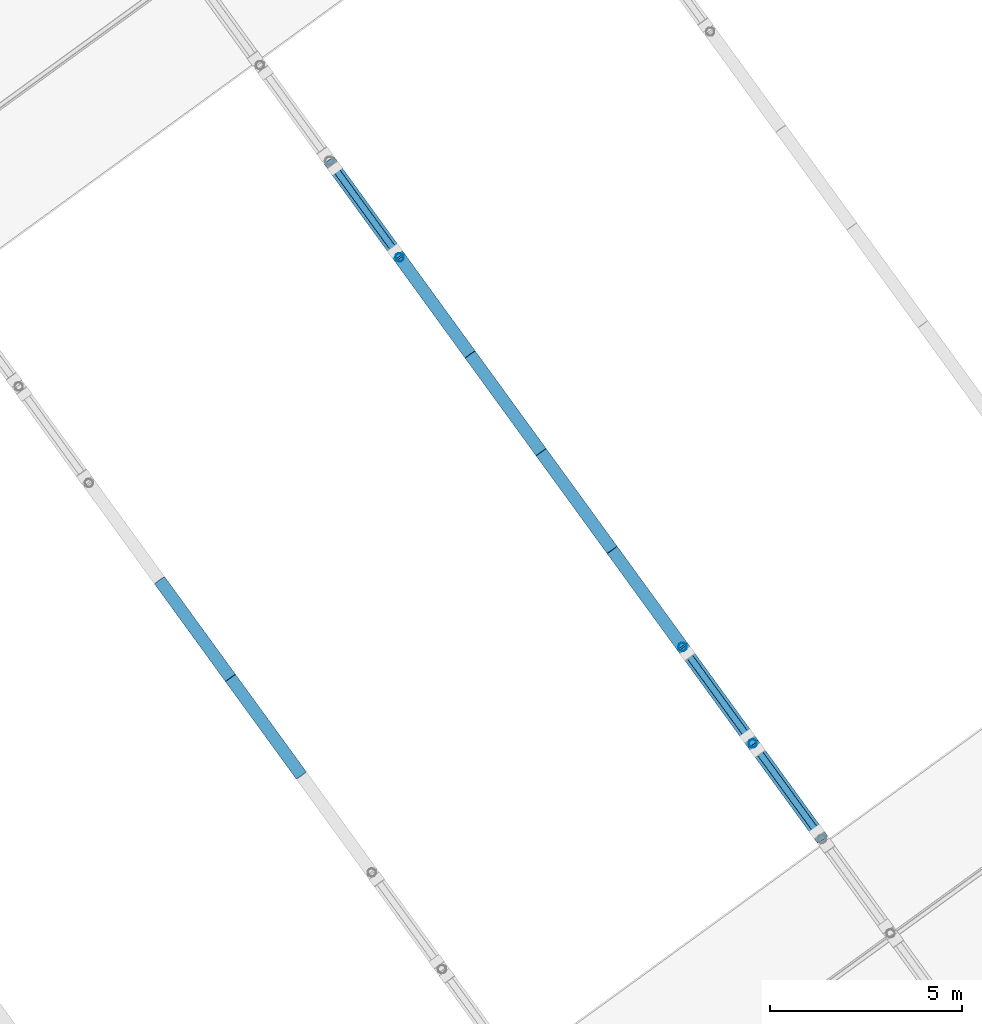
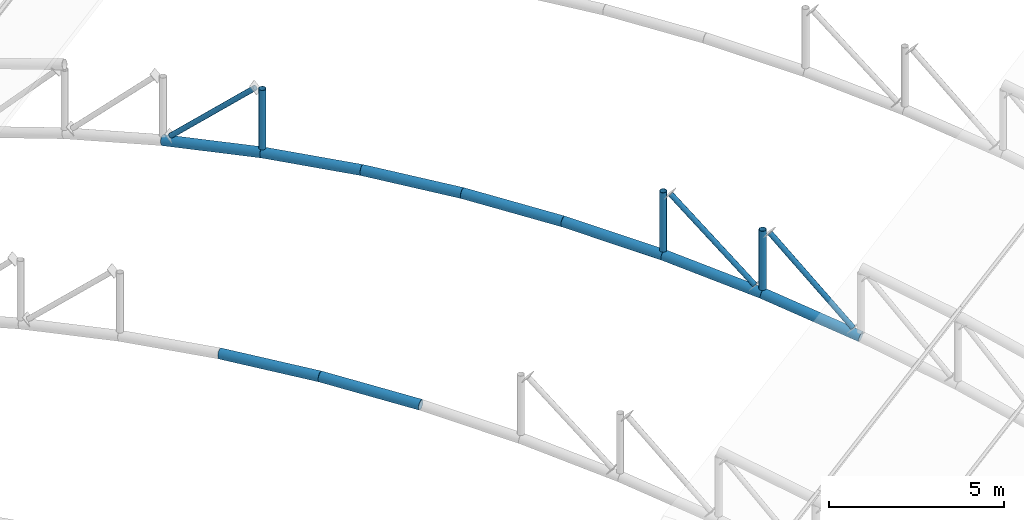
# One storey, part 25 of 69: 15 members.
"""IFC4 building model written with IfcOpenShell, lengths in metres."""

from ifc_helpers import new_model, si_unit, direction, frame, origin, origin_2d, place, context, subcontext, project, spatial, hollow_circle, extrude, material, material_profile, profile_set, type_object, element, save


model = new_model("IFC4")

# Units and contexts
model_context = context("Model", 3, precision=1e-05, world=origin(), true_north=direction((0.0, 1.0)))
body_context = subcontext(model_context, "Body", "Model", "MODEL_VIEW")
ifc_project = project(units=[si_unit("LENGTHUNIT", "METRE"), si_unit("AREAUNIT", "SQUARE_METRE"), si_unit("VOLUMEUNIT", "CUBIC_METRE"), si_unit("PLANEANGLEUNIT", "RADIAN"), si_unit("MASSUNIT", "GRAM", prefix="KILO")], contexts=[model_context])

# Site, building, storey
site_placement = place(None, origin())
site = spatial("IfcSite", under=ifc_project, at=site_placement, CompositionType="ELEMENT")
building_placement = place(site_placement, origin())
building = spatial("IfcBuilding", under=site, at=building_placement, Name="Okhra Congress Centre", CompositionType="ELEMENT")
storey_placement = place(building_placement, frame((0.0, 0.0, 16.800048828125)))
storey = spatial("IfcBuildingStorey", under=building, at=storey_placement, Name="L03", CompositionType="ELEMENT", Elevation=16.800048828125)

# Members
ifc_material = material(Name="Steel S355J2H", Category="steel")
ifc_material_profile_1 = material_profile(ifc_material, hollow_circle(Radius=0.084228515625, WallThickness=0.00634765625, at=origin_2d()), Name="CHS 168.3x6.3")
ifc_profile_set_1 = profile_set([ifc_material_profile_1], Name="Steel S355J2H")
member_type_1 = type_object("IfcMemberType", Name="CHS 168.3x6.3", PredefinedType="BRACE", material=ifc_profile_set_1)
member_1_placement = place(storey_placement, frame((245.3857421875, 185.710693359375, 2.67236328125), z_axis=(-0.418439949368, 0.575872140845, 0.702338441331), x_axis=(-0.808987367589, -0.587826027904, 0.0)))
element("IfcMember", 1, at=member_1_placement, inside=storey, type_object=member_type_1, Name="Truss 4 diagonal 6", PredefinedType="BRACE", context=body_context, shape_type="SweptSolid", body=[
    extrude(hollow_circle(Radius=0.084228515625, WallThickness=0.00634765625, at=origin_2d()), origin(), (0.0, 0.0, 1.0), 3.658203125),
])
for number, where, z_axis, x_axis, name in (
    (2, (243.577880859375, 188.198974609375, 3.290283203125), (-0.432852970134, 0.595735556437, 0.676562970494), (-0.80900036382, -0.587808141607, 0.0), "Truss 4 diagonal 7"),
    (3, (232.84375, 202.972900390625, 3.290283203125), (0.432835381478, -0.595779555186, 0.676535478865), (0.809032364404, 0.587764096681, 0.0), "Truss 4 diagonal 12"),
):
    element("IfcMember", number, at=place(storey_placement, frame(where, z_axis=z_axis, x_axis=x_axis)), inside=storey, type_object=member_type_1, Name=name, PredefinedType="BRACE", context=body_context, shape_type="SweptSolid", body=[
        extrude(hollow_circle(Radius=0.084228515625, WallThickness=0.00634765625, at=origin_2d()), origin(), (0.0, 0.0, 1.0), 3.579345703125),
    ])
ifc_material_profile_2 = material_profile(ifc_material, hollow_circle(Radius=0.109619140625, WallThickness=0.008056640625, at=origin_2d()), Name="CHS 219.1x8")
ifc_profile_set_2 = profile_set([ifc_material_profile_2], Name="Steel S355J2H")
member_type_2 = type_object("IfcMemberType", Name="CHS 219.1x8", PredefinedType="POST", material=ifc_profile_set_2)
member_2_placement = place(storey_placement, frame((243.722412109375, 187.999755859375, 3.230712890625), z_axis=(0.0, 0.0, 1.0), x_axis=(1.0, 0.0, 0.0)))
element("IfcMember", 4, at=member_2_placement, inside=storey, type_object=member_type_2, Name="Truss 4 post 6", PredefinedType="POST", context=body_context, shape_type="SweptSolid", body=[
    extrude(hollow_circle(Radius=0.109619140625, WallThickness=0.008056640625, at=origin_2d()), origin(), (0.0, 0.0, 1.0), 2.067138671875),
])
for number, where, z_axis, x_axis, name in (
    (5, (241.895751953125, 190.51416015625, 3.6845703125), (0.0, 0.0, 1.0), (1.0, 0.0, 0.0), "Truss 4 post 7"),
    (6, (234.52587890625, 200.65771484375, 3.6845703125), (0.0, 0.0, 1.0), (1.0, 0.0, 0.0), "Truss 4 post 11"),
):
    element("IfcMember", number, at=place(storey_placement, frame(where, z_axis=z_axis, x_axis=x_axis)), inside=storey, type_object=member_type_2, Name=name, PredefinedType="POST", context=body_context, shape_type="SweptSolid", body=[
        extrude(hollow_circle(Radius=0.109619140625, WallThickness=0.008056640625, at=origin_2d()), origin(), (0.0, 0.0, 1.0), 2.06982421875),
    ])
ifc_material_profile_3 = material_profile(ifc_material, hollow_circle(Radius=0.161865234375, WallThickness=0.012451171875, at=origin_2d()), Name="CHS 323.9x12.5")
ifc_profile_set_3 = profile_set([ifc_material_profile_3], Name="Steel S355J2H")
member_type_3 = type_object("IfcMemberType", Name="CHS 323.9x12.5", PredefinedType="CHORD", material=ifc_profile_set_3)
for number, where, z_axis, x_axis, name in (
    (7, (231.966064453125, 187.16796875, 3.793212890625), (-0.587539464221, 0.808673182399, 0.029069951001), (-0.809015088623, -0.587787875327, 0.0), "Truss 3 bottom chord 9"),
    (8, (230.12060546875, 189.7080078125, 3.884521484375), (-0.587502535633, 0.808700077161, -0.029068123869), (-0.809041951748, -0.587750899881, 0.0), "Truss 3 bottom chord 10"),
):
    element("IfcMember", number, at=place(storey_placement, frame(where, z_axis=z_axis, x_axis=x_axis)), inside=storey, type_object=member_type_3, Name=name, PredefinedType="CHORD", context=body_context, shape_type="SweptSolid", body=[
        extrude(hollow_circle(Radius=0.161865234375, WallThickness=0.012451171875, at=origin_2d()), origin(), (0.0, 0.0, 1.0), 3.14111328125),
    ])
member_3_placement = place(storey_placement, frame((245.53076171875, 185.510986328125, 2.428955078125), z_axis=(-0.575672570381, 0.792278409945, 0.202227626317), x_axis=(-0.808993389874, -0.587817739729, 0.0)))
element("IfcMember", 9, at=member_3_placement, inside=storey, type_object=member_type_3, Name="Truss 4 bottom chord 6", PredefinedType="CHORD", context=body_context, shape_type="SweptSolid", body=[
    extrude(hollow_circle(Radius=0.161865234375, WallThickness=0.012451171875, at=origin_2d()), origin(), (0.0, 0.0, 1.0), 3.141357421875),
])
for number, where, z_axis, x_axis, name in (
    (10, (243.722412109375, 187.999755859375, 3.064208984375), (-0.581543271945, 0.800496412425, 0.144958326942), (-0.809041704036, -0.587751240858, 0.0), "Truss 4 bottom chord 7"),
    (11, (241.895751953125, 190.51416015625, 3.51953125), (-0.585574378555, 0.805922581794, 0.087128866254), (-0.808999165888, -0.587809790317, 0.0), "Truss 4 bottom chord 8"),
):
    element("IfcMember", number, at=place(storey_placement, frame(where, z_axis=z_axis, x_axis=x_axis)), inside=storey, type_object=member_type_3, Name=name, PredefinedType="CHORD", context=body_context, shape_type="SweptSolid", body=[
        extrude(hollow_circle(Radius=0.161865234375, WallThickness=0.012451171875, at=origin_2d()), origin(), (0.0, 0.0, 1.0), 3.14111328125),
    ])
member_4_placement = place(storey_placement, frame((240.056396484375, 193.045654296875, 3.793212890625), z_axis=(-0.587553427849, 0.808663150366, 0.029066796563), x_axis=(-0.809004978104, -0.587801790915, 0.0)))
element("IfcMember", 12, at=member_4_placement, inside=storey, type_object=member_type_3, Name="Truss 4 bottom chord 9", PredefinedType="CHORD", context=body_context, shape_type="SweptSolid", body=[
    extrude(hollow_circle(Radius=0.161865234375, WallThickness=0.012451171875, at=origin_2d()), origin(), (0.0, 0.0, 1.0), 3.141357421875),
])
member_5_placement = place(storey_placement, frame((238.210693359375, 195.5859375, 3.884521484375), z_axis=(-0.587539464221, 0.808673182399, -0.029069951001), x_axis=(-0.809015088623, -0.587787875327, 0.0)))
element("IfcMember", 13, at=member_5_placement, inside=storey, type_object=member_type_3, Name="Truss 4 bottom chord 10", PredefinedType="CHORD", context=body_context, shape_type="SweptSolid", body=[
    extrude(hollow_circle(Radius=0.161865234375, WallThickness=0.012451171875, at=origin_2d()), origin(), (0.0, 0.0, 1.0), 3.14111328125),
])
member_6_placement = place(storey_placement, frame((236.365234375, 198.1259765625, 3.793212890625), z_axis=(-0.58553770002, 0.805949820707, -0.087123408777), x_axis=(-0.809026121159, -0.587772690146, 0.0)))
element("IfcMember", 14, at=member_6_placement, inside=storey, type_object=member_type_3, Name="Truss 4 bottom chord 11", PredefinedType="CHORD", context=body_context, shape_type="SweptSolid", body=[
    extrude(hollow_circle(Radius=0.161865234375, WallThickness=0.012451171875, at=origin_2d()), origin(), (0.0, 0.0, 1.0), 3.141357421875),
])
member_7_placement = place(storey_placement, frame((234.52587890625, 200.65771484375, 3.51953125), z_axis=(-0.581543271945, 0.800496412425, -0.144958326942), x_axis=(-0.809041704036, -0.587751240858, 0.0)))
element("IfcMember", 15, at=member_7_placement, inside=storey, type_object=member_type_3, Name="Truss 4 bottom chord 12", PredefinedType="CHORD", context=body_context, shape_type="SweptSolid", body=[
    extrude(hollow_circle(Radius=0.161865234375, WallThickness=0.012451171875, at=origin_2d()), origin(), (0.0, 0.0, 1.0), 3.14111328125),
])

save(model, "model.ifc")
